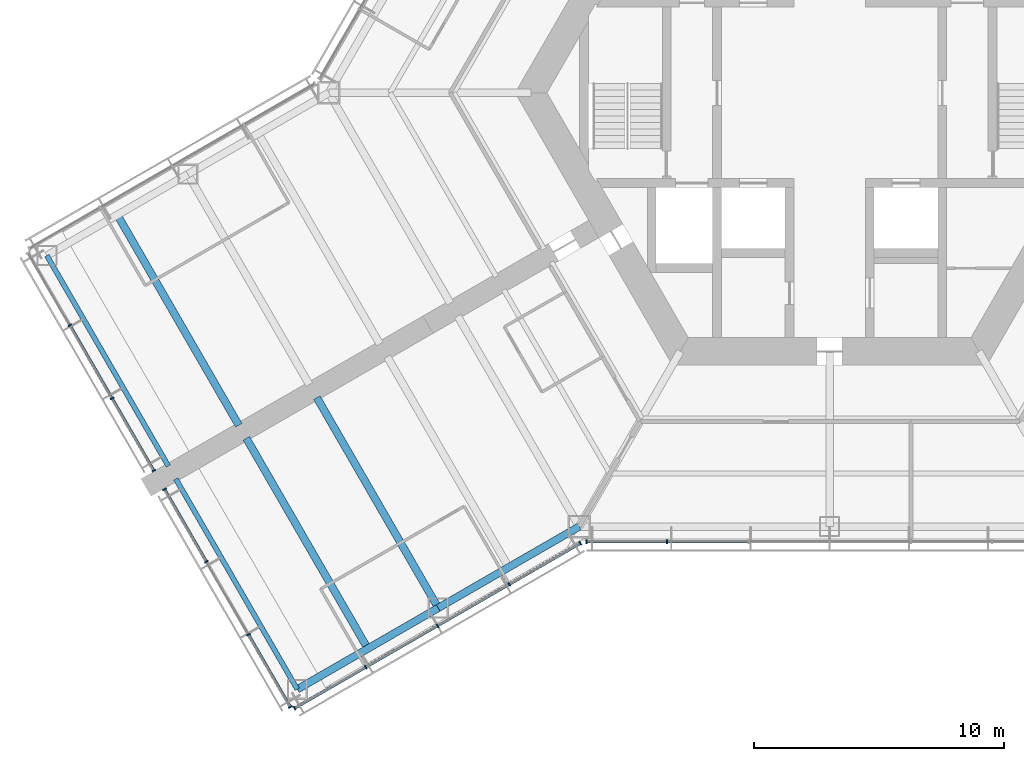
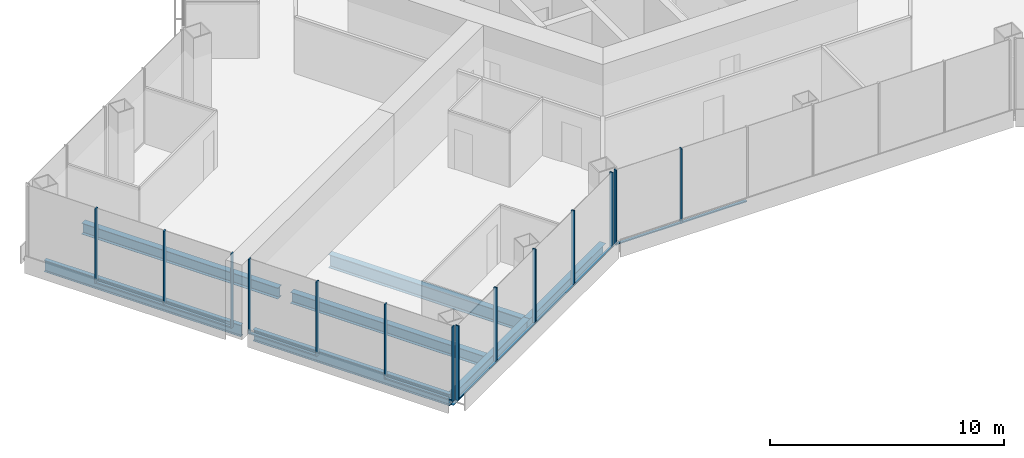
# One storey, part 2 of 18: 24 members, 7 beams, 4 elements without a shape of their own.
"""IFC4 building model written with IfcOpenShell, lengths in metres."""

from ifc_helpers import new_model, si_unit, direction, frame, origin, origin_2d, place, context, subcontext, project, spatial, rectangle, i_section, extrude, material, material_profile, profile_set, type_object, element, aggregate, save


model = new_model("IFC4")

# Units and contexts
model_context = context("Model", 3, precision=1e-05, world=origin(), true_north=direction((0.0, 1.0)))
body_context = subcontext(model_context, "Body", "Model", "MODEL_VIEW")
ifc_project = project(units=[si_unit("LENGTHUNIT", "METRE"), si_unit("AREAUNIT", "SQUARE_METRE"), si_unit("VOLUMEUNIT", "CUBIC_METRE"), si_unit("PLANEANGLEUNIT", "RADIAN"), si_unit("MASSUNIT", "GRAM", prefix="KILO")], contexts=[model_context])

# Site, building, storey
site_placement = place(None, origin())
site = spatial("IfcSite", under=ifc_project, at=site_placement, CompositionType="ELEMENT")
building_placement = place(site_placement, origin())
building = spatial("IfcBuilding", under=site, at=building_placement, Name="Kasaneha Research Tower", CompositionType="ELEMENT")
storey_placement = place(building_placement, frame((0.0, 0.0, 61.199951171875)))
storey = spatial("IfcBuildingStorey", under=building, at=storey_placement, Name="L15", CompositionType="ELEMENT", Elevation=61.199951171875)

# Beams
ifc_material_1 = material(Name="Steel SN490B", Category="steel")
ifc_material_profile_1 = material_profile(ifc_material_1, i_section(OverallWidth=0.300048828125, OverallDepth=0.58203125, WebThickness=0.011962890625, FlangeThickness=0.01708984375, FilletRadius=0.012939453125, at=origin_2d()), Name="H-582x300x12x17")
ifc_profile_set_1 = profile_set([ifc_material_profile_1], Name="Steel SN490B")
beam_type_1 = type_object("IfcBeamType", Name="B2-3 secondary beam H-582x300x12x17", PredefinedType="JOIST", material=ifc_profile_set_1)
for number, where, z_axis, x_axis, name in (
    (1, (-28.44384765625, -4.875, -0.44091796875), (0.500010041276, -0.866019606374, 0.0), (0.866019606374, 0.500010041276, 0.0), "Secondary beam WBBP2 L15"),
    (2, (-18.44384765625, -22.195556640625, -0.44091796875), (-0.499991164321, 0.866030505006, 0.0), (-0.866030505006, -0.499991164321, 0.0), "Secondary beam WBBN2 L15"),
):
    element("IfcBeam", number, at=place(storey_placement, frame(where, z_axis=z_axis, x_axis=x_axis)), inside=storey, type_object=beam_type_1, Name=name, PredefinedType="JOIST", context=body_context, shape_type="SweptSolid", body=[
        extrude(i_section(OverallWidth=0.300048828125, OverallDepth=0.58203125, WebThickness=0.011962890625, FlangeThickness=0.01708984375, FilletRadius=0.012939453125, at=origin_2d()), origin(), (0.0, 0.0, 1.0), 9.699951171875),
    ])

# Curtain wall, members
ifc_material_2 = material(Name="Glass and aluminium", Category="aluminium")
curtain_wall_type = type_object("IfcCurtainWallType", Name="Low-rise office curtain wall", PredefinedType="USERDEFINED", material=ifc_material_2)
curtain_wall_1_placement = place(storey_placement, origin())
curtain_wall_1 = element("IfcCurtainWall", 3, at=curtain_wall_1_placement, inside=storey, type_object=curtain_wall_type, Name="CW-O1 L15 run 01a", ObjectType="UNITISED CURTAIN WALL", PredefinedType="USERDEFINED")
ifc_material_3 = material(Name="Aluminium 6063-T6", Category="aluminium")
ifc_material_profile_2 = material_profile(ifc_material_3, rectangle(XDim=0.06005859375, YDim=0.159912109375, at=origin_2d()), Name="CW-O1 mullion 60x160")
ifc_profile_set_2 = profile_set([ifc_material_profile_2], Name="Aluminium 6063-T6")
member_type_1 = type_object("IfcMemberType", Name="CW-O1 mullion", PredefinedType="MULLION", material=ifc_profile_set_2)
member_1_placement = place(storey_placement, frame((-21.365478515625, -24.5751953125, 0.0), z_axis=(0.0, 0.0, 1.0), x_axis=(0.866025411464, 0.499999986699, 0.0)))
member_1 = element("IfcMember", 4, at=member_1_placement, type_object=member_type_1, Name="CW-O1 mullion 1", PredefinedType="MULLION", context=body_context, shape_type="SweptSolid", body=[
    extrude(rectangle(XDim=0.06005859375, YDim=0.159912109375, at=origin_2d()), origin(), (0.0, 0.0, 1.0), 3.900146484375),
])
member_2_placement = place(storey_placement, frame((-18.52490234375, -22.935302734375, 0.0), z_axis=(0.0, 0.0, 1.0), x_axis=(0.866025411464, 0.499999986699, 0.0)))
member_2 = element("IfcMember", 5, at=member_2_placement, type_object=member_type_1, Name="CW-O1 mullion 2", PredefinedType="MULLION", context=body_context, shape_type="SweptSolid", body=[
    extrude(rectangle(XDim=0.06005859375, YDim=0.159912109375, at=origin_2d()), origin(), (0.0, 0.0, 1.0), 3.900146484375),
])
member_3_placement = place(storey_placement, frame((-15.65869140625, -21.2802734375, 0.0), z_axis=(0.0, 0.0, 1.0), x_axis=(0.866025411464, 0.499999986699, 0.0)))
member_3 = element("IfcMember", 6, at=member_3_placement, type_object=member_type_1, Name="CW-O1 mullion 3", PredefinedType="MULLION", context=body_context, shape_type="SweptSolid", body=[
    extrude(rectangle(XDim=0.06005859375, YDim=0.159912109375, at=origin_2d()), origin(), (0.0, 0.0, 1.0), 3.900146484375),
])
member_4_placement = place(storey_placement, frame((-12.792236328125, -19.62548828125, 0.0), z_axis=(0.0, 0.0, 1.0), x_axis=(0.866025411464, 0.499999986699, 0.0)))
member_4 = element("IfcMember", 7, at=member_4_placement, type_object=member_type_1, Name="CW-O1 mullion 4", PredefinedType="MULLION", context=body_context, shape_type="SweptSolid", body=[
    extrude(rectangle(XDim=0.06005859375, YDim=0.159912109375, at=origin_2d()), origin(), (0.0, 0.0, 1.0), 3.900146484375),
])
member_5_placement = place(storey_placement, frame((-9.951904296875, -17.985595703125, 0.0), z_axis=(0.0, 0.0, 1.0), x_axis=(0.866025411464, 0.499999986699, 0.0)))
member_5 = element("IfcMember", 8, at=member_5_placement, type_object=member_type_1, Name="CW-O1 mullion 5", PredefinedType="MULLION", context=body_context, shape_type="SweptSolid", body=[
    extrude(rectangle(XDim=0.06005859375, YDim=0.159912109375, at=origin_2d()), origin(), (0.0, 0.0, 1.0), 3.900146484375),
])

curtain_wall_2_placement = place(storey_placement, origin())
curtain_wall_2 = element("IfcCurtainWall", 9, at=curtain_wall_2_placement, inside=storey, type_object=curtain_wall_type, Name="CW-O1 L15 run 02a", ObjectType="UNITISED CURTAIN WALL", PredefinedType="USERDEFINED")
member_6_placement = place(storey_placement, frame((-9.709228515625, -17.92041015625, 0.0), z_axis=(0.0, 0.0, 1.0), x_axis=(1.0, 0.0, 0.0)))
member_6 = element("IfcMember", 10, at=member_6_placement, type_object=member_type_1, Name="CW-O1 mullion 1", PredefinedType="MULLION", context=body_context, shape_type="SweptSolid", body=[
    extrude(rectangle(XDim=0.06005859375, YDim=0.159912109375, at=origin_2d()), origin(), (0.0, 0.0, 1.0), 3.900146484375),
])
member_7_placement = place(storey_placement, frame((-6.492919921875, -17.92041015625, 0.0), z_axis=(0.0, 0.0, 1.0), x_axis=(1.0, 0.0, 0.0)))
member_7 = element("IfcMember", 11, at=member_7_placement, type_object=member_type_1, Name="CW-O1 mullion 2", PredefinedType="MULLION", context=body_context, shape_type="SweptSolid", body=[
    extrude(rectangle(XDim=0.06005859375, YDim=0.159912109375, at=origin_2d()), origin(), (0.0, 0.0, 1.0), 3.900146484375),
])

curtain_wall_3_placement = place(storey_placement, origin())
curtain_wall_3 = element("IfcCurtainWall", 12, at=curtain_wall_3_placement, inside=storey, type_object=curtain_wall_type, Name="CW-O1 L15 run 14a", ObjectType="UNITISED CURTAIN WALL", PredefinedType="USERDEFINED")
member_8_placement = place(storey_placement, frame((-30.3447265625, -9.28271484375, 0.0), z_axis=(0.0, 0.0, 1.0), x_axis=(0.500000011442, -0.866025397178, 0.0)))
member_8 = element("IfcMember", 13, at=member_8_placement, type_object=member_type_1, Name="CW-O1 mullion 2", PredefinedType="MULLION", context=body_context, shape_type="SweptSolid", body=[
    extrude(rectangle(XDim=0.06005859375, YDim=0.159912109375, at=origin_2d()), origin(), (0.0, 0.0, 1.0), 3.900146484375),
])
member_9_placement = place(storey_placement, frame((-28.661376953125, -12.1982421875, 0.0), z_axis=(0.0, 0.0, 1.0), x_axis=(0.500000011442, -0.866025397178, 0.0)))
member_9 = element("IfcMember", 14, at=member_9_placement, type_object=member_type_1, Name="CW-O1 mullion 3", PredefinedType="MULLION", context=body_context, shape_type="SweptSolid", body=[
    extrude(rectangle(XDim=0.06005859375, YDim=0.159912109375, at=origin_2d()), origin(), (0.0, 0.0, 1.0), 3.900146484375),
])
member_10_placement = place(storey_placement, frame((-26.992919921875, -15.087890625, 0.0), z_axis=(0.0, 0.0, 1.0), x_axis=(0.500000011442, -0.866025397178, 0.0)))
member_10 = element("IfcMember", 15, at=member_10_placement, type_object=member_type_1, Name="CW-O1 mullion 4", PredefinedType="MULLION", context=body_context, shape_type="SweptSolid", body=[
    extrude(rectangle(XDim=0.06005859375, YDim=0.159912109375, at=origin_2d()), origin(), (0.0, 0.0, 1.0), 3.900146484375),
])

curtain_wall_4_placement = place(storey_placement, origin())
curtain_wall_4 = element("IfcCurtainWall", 16, at=curtain_wall_4_placement, inside=storey, type_object=curtain_wall_type, Name="CW-O1 L15 run 15a", ObjectType="UNITISED CURTAIN WALL", PredefinedType="USERDEFINED")
member_11_placement = place(storey_placement, frame((-26.56298828125, -15.832763671875, 0.0), z_axis=(0.0, 0.0, 1.0), x_axis=(0.500000011442, -0.866025397178, 0.0)))
member_11 = element("IfcMember", 17, at=member_11_placement, type_object=member_type_1, Name="CW-O1 mullion 1", PredefinedType="MULLION", context=body_context, shape_type="SweptSolid", body=[
    extrude(rectangle(XDim=0.06005859375, YDim=0.159912109375, at=origin_2d()), origin(), (0.0, 0.0, 1.0), 3.900146484375),
])
member_12_placement = place(storey_placement, frame((-24.89453125, -18.72216796875, 0.0), z_axis=(0.0, 0.0, 1.0), x_axis=(0.500000011442, -0.866025397178, 0.0)))
member_12 = element("IfcMember", 18, at=member_12_placement, type_object=member_type_1, Name="CW-O1 mullion 2", PredefinedType="MULLION", context=body_context, shape_type="SweptSolid", body=[
    extrude(rectangle(XDim=0.06005859375, YDim=0.159912109375, at=origin_2d()), origin(), (0.0, 0.0, 1.0), 3.900146484375),
])
member_13_placement = place(storey_placement, frame((-23.211181640625, -21.637939453125, 0.0), z_axis=(0.0, 0.0, 1.0), x_axis=(0.500000011442, -0.866025397178, 0.0)))
member_13 = element("IfcMember", 19, at=member_13_placement, type_object=member_type_1, Name="CW-O1 mullion 3", PredefinedType="MULLION", context=body_context, shape_type="SweptSolid", body=[
    extrude(rectangle(XDim=0.06005859375, YDim=0.159912109375, at=origin_2d()), origin(), (0.0, 0.0, 1.0), 3.900146484375),
])
member_14_placement = place(storey_placement, frame((-21.54296875, -24.527587890625, 0.0), z_axis=(0.0, 0.0, 1.0), x_axis=(0.500000011442, -0.866025397178, 0.0)))
member_14 = element("IfcMember", 20, at=member_14_placement, type_object=member_type_1, Name="CW-O1 mullion 4", PredefinedType="MULLION", context=body_context, shape_type="SweptSolid", body=[
    extrude(rectangle(XDim=0.06005859375, YDim=0.159912109375, at=origin_2d()), origin(), (0.0, 0.0, 1.0), 3.900146484375),
])

# Member
ifc_material_4 = material(Name="Aluminium 6063-T6", Category="aluminium")
ifc_material_profile_3 = material_profile(ifc_material_4, rectangle(XDim=0.1201171875, YDim=0.06005859375, at=origin_2d()), Name="CW-O1 transom 120x60")
ifc_profile_set_3 = profile_set([ifc_material_profile_3], Name="Aluminium 6063-T6")
member_type_2 = type_object("IfcMemberType", Name="CW-O1 transom", PredefinedType="USERDEFINED", material=ifc_profile_set_3)
member_15_placement = place(storey_placement, frame((-21.33935546875, -24.56005859375, 0.030029296875), z_axis=(0.866022692473, 0.500004696101, 0.0), x_axis=(-0.500004696101, 0.866022692473, 0.0)))
member_15 = element("IfcMember", 21, at=member_15_placement, type_object=member_type_2, Name="CW-O1 transom 1", ObjectType="TRANSOM", PredefinedType="USERDEFINED", context=body_context, shape_type="SweptSolid", body=[
    extrude(rectangle(XDim=0.1201171875, YDim=0.06005859375, at=origin_2d()), origin(), (0.0, 0.0, 1.0), 3.2197265625),
])

member_16_placement = place(storey_placement, frame((-18.4990234375, -22.920166015625, 0.030029296875), z_axis=(0.86604797581, 0.499960902066, 0.0), x_axis=(-0.499960902066, 0.86604797581, 0.0)))
member_16 = element("IfcMember", 22, at=member_16_placement, type_object=member_type_2, Name="CW-O1 transom 2", ObjectType="TRANSOM", PredefinedType="USERDEFINED", context=body_context, shape_type="SweptSolid", body=[
    extrude(rectangle(XDim=0.1201171875, YDim=0.06005859375, at=origin_2d()), origin(), (0.0, 0.0, 1.0), 3.249755859375),
])

member_17_placement = place(storey_placement, frame((-15.632568359375, -21.265380859375, 0.030029296875), z_axis=(0.866015446554, 0.500017246033, 0.0), x_axis=(-0.500017246033, 0.866015446554, 0.0)))
member_17 = element("IfcMember", 23, at=member_17_placement, type_object=member_type_2, Name="CW-O1 transom 3", ObjectType="TRANSOM", PredefinedType="USERDEFINED", context=body_context, shape_type="SweptSolid", body=[
    extrude(rectangle(XDim=0.1201171875, YDim=0.06005859375, at=origin_2d()), origin(), (0.0, 0.0, 1.0), 3.25),
])

member_18_placement = place(storey_placement, frame((-12.76611328125, -19.6103515625, 0.030029296875), z_axis=(0.866022692473, 0.500004696101, 0.0), x_axis=(-0.500004696101, 0.866022692473, 0.0)))
member_18 = element("IfcMember", 24, at=member_18_placement, type_object=member_type_2, Name="CW-O1 transom 4", ObjectType="TRANSOM", PredefinedType="USERDEFINED", context=body_context, shape_type="SweptSolid", body=[
    extrude(rectangle(XDim=0.1201171875, YDim=0.06005859375, at=origin_2d()), origin(), (0.0, 0.0, 1.0), 3.2197265625),
])

aggregate(curtain_wall_1, [member_1, member_2, member_3, member_4, member_5, member_15, member_16, member_17, member_18])

member_19_placement = place(storey_placement, frame((-9.67919921875, -17.92041015625, 0.030029296875), z_axis=(1.0, 0.0, 0.0), x_axis=(0.0, 1.0, 0.0)))
member_19 = element("IfcMember", 25, at=member_19_placement, type_object=member_type_2, Name="CW-O1 transom 1", ObjectType="TRANSOM", PredefinedType="USERDEFINED", context=body_context, shape_type="SweptSolid", body=[
    extrude(rectangle(XDim=0.1201171875, YDim=0.06005859375, at=origin_2d()), origin(), (0.0, 0.0, 1.0), 3.156494140625),
])

member_20_placement = place(storey_placement, frame((-6.462890625, -17.92041015625, 0.030029296875), z_axis=(1.0, 0.0, 0.0), x_axis=(0.0, 1.0, 0.0)))
member_20 = element("IfcMember", 26, at=member_20_placement, type_object=member_type_2, Name="CW-O1 transom 2", ObjectType="TRANSOM", PredefinedType="USERDEFINED", context=body_context, shape_type="SweptSolid", body=[
    extrude(rectangle(XDim=0.1201171875, YDim=0.06005859375, at=origin_2d()), origin(), (0.0, 0.0, 1.0), 3.1865234375),
])

aggregate(curtain_wall_2, [member_6, member_7, member_19, member_20])

member_21_placement = place(storey_placement, frame((-30.32958984375, -9.30859375, 0.030029296875), z_axis=(0.499982354831, -0.866035590988, 0.0), x_axis=(0.866035590988, 0.499982354831, 0.0)))
member_21 = element("IfcMember", 27, at=member_21_placement, type_object=member_type_2, Name="CW-O1 transom 2", ObjectType="TRANSOM", PredefinedType="USERDEFINED", context=body_context, shape_type="SweptSolid", body=[
    extrude(rectangle(XDim=0.1201171875, YDim=0.06005859375, at=origin_2d()), origin(), (0.0, 0.0, 1.0), 3.306640625),
])

member_22_placement = place(storey_placement, frame((-28.646240234375, -12.22412109375, 0.030029296875), z_axis=(0.499969700927, -0.866042896256, 0.0), x_axis=(0.866042896256, 0.499969700927, 0.0)))
member_22 = element("IfcMember", 28, at=member_22_placement, type_object=member_type_2, Name="CW-O1 transom 3", ObjectType="TRANSOM", PredefinedType="USERDEFINED", context=body_context, shape_type="SweptSolid", body=[
    extrude(rectangle(XDim=0.1201171875, YDim=0.06005859375, at=origin_2d()), origin(), (0.0, 0.0, 1.0), 3.276611328125),
])

aggregate(curtain_wall_3, [member_8, member_9, member_10, member_21, member_22])

member_23_placement = place(storey_placement, frame((-26.5478515625, -15.858642578125, 0.030029296875), z_axis=(0.499969700927, -0.866042896256, 0.0), x_axis=(0.866042896256, 0.499969700927, 0.0)))
member_23 = element("IfcMember", 29, at=member_23_placement, type_object=member_type_2, Name="CW-O1 transom 1", ObjectType="TRANSOM", PredefinedType="USERDEFINED", context=body_context, shape_type="SweptSolid", body=[
    extrude(rectangle(XDim=0.1201171875, YDim=0.06005859375, at=origin_2d()), origin(), (0.0, 0.0, 1.0), 3.276611328125),
])

member_24_placement = place(storey_placement, frame((-23.1962890625, -21.663818359375, 0.030029296875), z_axis=(0.500025583411, -0.866010632691, 0.0), x_axis=(0.866010632691, 0.500025583411, 0.0)))
member_24 = element("IfcMember", 30, at=member_24_placement, type_object=member_type_2, Name="CW-O1 transom 3", ObjectType="TRANSOM", PredefinedType="USERDEFINED", context=body_context, shape_type="SweptSolid", body=[
    extrude(rectangle(XDim=0.1201171875, YDim=0.06005859375, at=origin_2d()), origin(), (0.0, 0.0, 1.0), 3.276611328125),
])

aggregate(curtain_wall_4, [member_11, member_12, member_13, member_14, member_23, member_24])

# Beams
ifc_material_5 = material(Name="Steel SN490B", Category="steel")
ifc_material_profile_4 = material_profile(ifc_material_5, i_section(OverallWidth=0.300048828125, OverallDepth=0.699951171875, WebThickness=0.012939453125, FlangeThickness=0.02392578125, FilletRadius=0.01806640625, at=origin_2d()), Name="H-700x300x13x24")
ifc_profile_set_4 = profile_set([ifc_material_profile_4], Name="Steel SN490B")
beam_type_2 = type_object("IfcBeamType", Name="G4-3 wing girder H-700x300x13x24", PredefinedType="BEAM", material=ifc_profile_set_4)
beam_placement = place(storey_placement, frame((-15.629150390625, -20.570556640625, -0.5), z_axis=(-0.500010041276, 0.866019606374, 0.0), x_axis=(-0.866019606374, -0.500010041276, 0.0)))
element("IfcBeam", 31, at=beam_placement, inside=storey, type_object=beam_type_2, Name="Wing girder WGBN L15", PredefinedType="BEAM", context=body_context, shape_type="SweptSolid", body=[
    extrude(i_section(OverallWidth=0.300048828125, OverallDepth=0.699951171875, WebThickness=0.012939453125, FlangeThickness=0.02392578125, FilletRadius=0.01806640625, at=origin_2d()), origin(), (0.0, 0.0, 1.0), 9.699951171875),
])
ifc_material_6 = material(Name="Steel SN490B", Category="steel")
ifc_material_profile_5 = material_profile(ifc_material_6, i_section(OverallWidth=0.300048828125, OverallDepth=0.58203125, WebThickness=0.011962890625, FlangeThickness=0.01708984375, FilletRadius=0.012939453125, at=origin_2d()), Name="H-582x300x12x17")
ifc_profile_set_5 = profile_set([ifc_material_profile_5], Name="Steel SN490B")
beam_type_3 = type_object("IfcBeamType", Name="SB2-3 spandrel beam H-582x300x12x17", PredefinedType="SPANDREL", material=ifc_profile_set_5)
for number, where, z_axis, x_axis, name in (
    (32, (-10.0, -17.320556640625, -0.44091796875), (-0.866024837091, -0.50000098154, 0.0), (0.50000098154, -0.866024837091, 0.0), "Spandrel beam WSBN1 L15"),
    (33, (-15.629150390625, -20.570556640625, -0.44091796875), (-0.866024837091, -0.50000098154, 0.0), (0.50000098154, -0.866024837091, 0.0), "Spandrel beam WSBN2 L15"),
):
    element("IfcBeam", number, at=place(storey_placement, frame(where, z_axis=z_axis, x_axis=x_axis)), inside=storey, type_object=beam_type_3, Name=name, PredefinedType="SPANDREL", context=body_context, shape_type="SweptSolid", body=[
        extrude(i_section(OverallWidth=0.300048828125, OverallDepth=0.58203125, WebThickness=0.011962890625, FlangeThickness=0.01708984375, FilletRadius=0.012939453125, at=origin_2d()), origin(), (0.0, 0.0, 1.0), 6.5),
    ])
ifc_material_7 = material(Name="Steel SN490B", Category="steel")
ifc_material_profile_6 = material_profile(ifc_material_7, i_section(OverallWidth=0.199951171875, OverallDepth=0.60009765625, WebThickness=0.010986328125, FlangeThickness=0.01708984375, FilletRadius=0.012939453125, at=origin_2d()), Name="H-600x200x11x17")
ifc_profile_set_6 = profile_set([ifc_material_profile_6], Name="Steel SN490B")
beam_type_4 = type_object("IfcBeamType", Name="SB3-3 spandrel beam H-600x200x11x17", PredefinedType="SPANDREL", material=ifc_profile_set_6)
for number, where, z_axis, x_axis, name in (
    (34, (-31.25830078125, -6.5, -0.449951171875), (0.499991164321, -0.866030505006, 0.0), (0.866030505006, 0.499991164321, 0.0), "Spandrel beam WTBP L15"),
    (35, (-21.25830078125, -23.820556640625, -0.449951171875), (-0.500010041276, 0.866019606374, 0.0), (-0.866019606374, -0.500010041276, 0.0), "Spandrel beam WTBN L15"),
):
    element("IfcBeam", number, at=place(storey_placement, frame(where, z_axis=z_axis, x_axis=x_axis)), inside=storey, type_object=beam_type_4, Name=name, PredefinedType="SPANDREL", context=body_context, shape_type="SweptSolid", body=[
        extrude(i_section(OverallWidth=0.199951171875, OverallDepth=0.60009765625, WebThickness=0.010986328125, FlangeThickness=0.01708984375, FilletRadius=0.012939453125, at=origin_2d()), origin(), (0.0, 0.0, 1.0), 9.699951171875),
    ])

save(model, "model.ifc")
